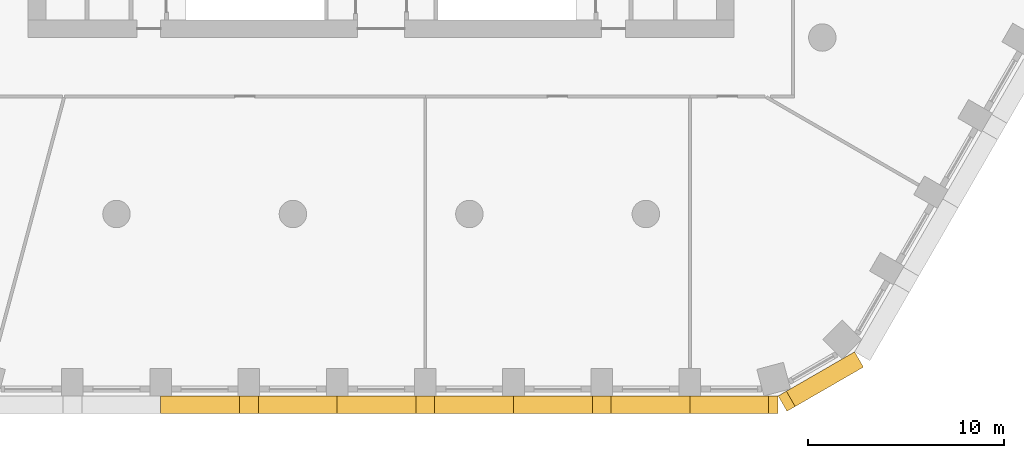
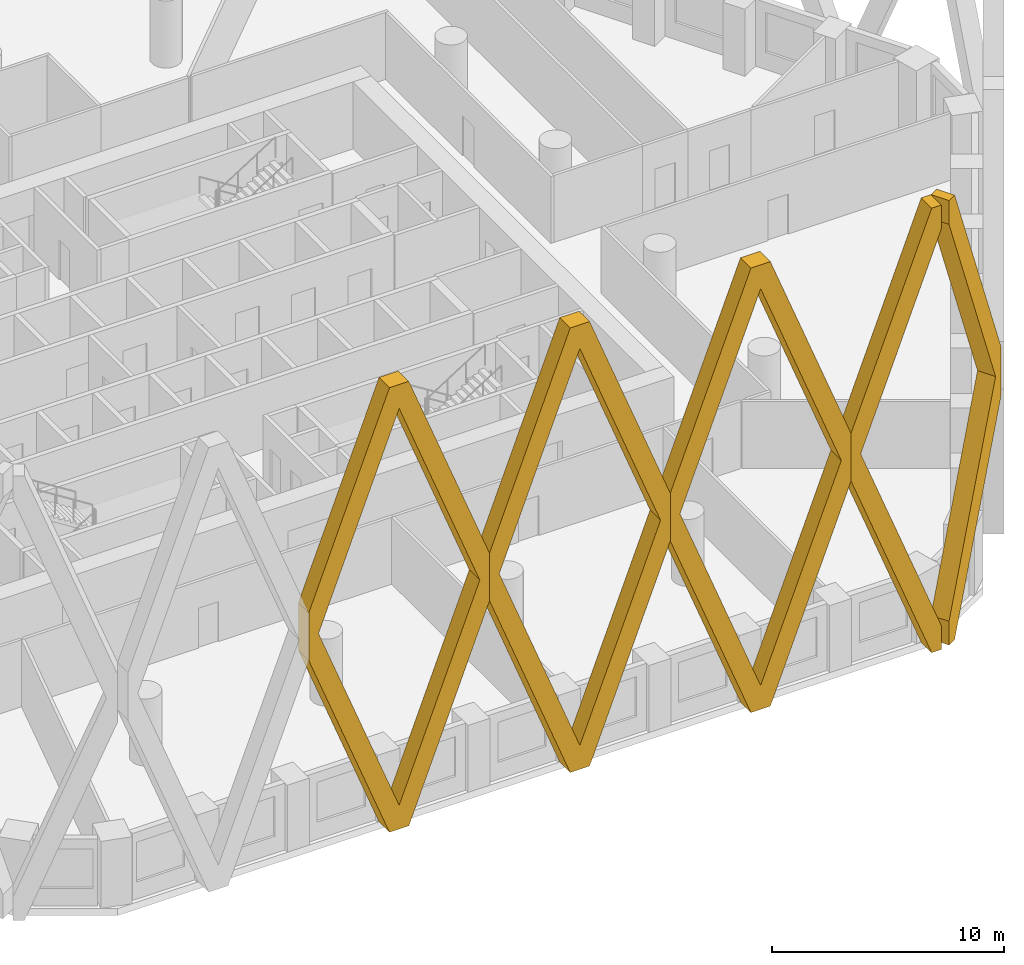
# One storey, part 12 of 18: 5 coverings.
"""IFC4 building model written with IfcOpenShell, lengths in metres."""

from ifc_helpers import new_model, si_unit, direction, frame, origin, place, context, subcontext, project, spatial, polyline, outline, extrude, material, type_object, element, save


model = new_model("IFC4")

# Units and contexts
model_context = context("Model", 3, precision=1e-05, world=origin(), true_north=direction((0.0, 1.0)))
body_context = subcontext(model_context, "Body", "Model", "MODEL_VIEW")
ifc_project = project(units=[si_unit("LENGTHUNIT", "METRE"), si_unit("AREAUNIT", "SQUARE_METRE"), si_unit("VOLUMEUNIT", "CUBIC_METRE"), si_unit("PLANEANGLEUNIT", "RADIAN"), si_unit("MASSUNIT", "GRAM", prefix="KILO")], contexts=[model_context])

# Site, building, storey
site_placement = place(None, origin())
site = spatial("IfcSite", under=ifc_project, at=site_placement, CompositionType="ELEMENT")
building_placement = place(site_placement, origin())
building = spatial("IfcBuilding", under=site, at=building_placement, Name="Dhurran Vertical Campus", CompositionType="ELEMENT")
storey_placement = place(building_placement, frame((0.0, 0.0, 53.39990234375)))
storey = spatial("IfcBuildingStorey", under=building, at=storey_placement, Name="L12", CompositionType="ELEMENT", Elevation=53.39990234375)

# Coverings
ifc_material = material(Name="Precast concrete C50/60", Category="concrete")
covering_type = type_object("IfcCoveringType", Name="Folded precast fin lattice diamond", PredefinedType="USERDEFINED", material=ifc_material)
for number, where, z_axis, x_axis, name in (
    (1, (-11.25, -31.77978515625, 0.0), (0.0, -1.0, 0.0), (1.0, 0.0, 0.0), "FN1 L12.002"),
    (2, (-2.25, -31.77978515625, 0.0), (0.0, -1.0, 0.0), (1.0, 0.0, 0.0), "FN1 L12.003"),
    (3, (6.75, -31.77978515625, 0.0), (0.0, -1.0, 0.0), (1.0, 0.0, 0.0), "FN1 L12.004"),
):
    element("IfcCovering", number, at=place(storey_placement, frame(where, z_axis=z_axis, x_axis=x_axis)), inside=storey, type_object=covering_type, Name=name, ObjectType="FIN", PredefinedType="USERDEFINED", context=body_context, shape_type="SweptSolid", body=[
        extrude(outline(polyline([(9.0, 12.95361328125), (9.0, 10.4462890625), (4.982177734375, 0.0), (4.017822265625, 0.0), (0.0, 10.4462890625), (0.0, 12.95361328125), (4.017822265625, 23.39990234375), (4.982177734375, 23.39990234375), (9.0, 12.95361328125)]), holes=[polyline([(8.517822265625, 11.699951171875), (4.5, 22.146484375), (0.482177734375, 11.699951171875), (4.5, 1.253662109375), (8.517822265625, 11.699951171875)])]), origin(), (0.0, 0.0, 1.0), 0.89990234375),
    ])
covering_1_placement = place(storey_placement, frame((15.75, -31.77978515625, 0.0), z_axis=(0.0, -1.0, 0.0), x_axis=(1.0, 0.0, 0.0)))
element("IfcCovering", 4, at=covering_1_placement, inside=storey, type_object=covering_type, Name="FN1 L12.005", ObjectType="FIN", PredefinedType="USERDEFINED", context=body_context, shape_type="SweptSolid", body=[
    extrude(outline(polyline([(4.017822265625, 0.0), (0.0, 10.4462890625), (0.0, 12.95361328125), (4.017822265625, 23.39990234375), (4.5, 23.39990234375), (4.5, 22.146484375), (0.482177734375, 11.699951171875), (4.5, 1.253662109375), (4.5, 0.0), (4.017822265625, 0.0)])), origin(), (0.0, 0.0, 1.0), 0.89990234375),
])
covering_2_placement = place(storey_placement, frame((20.25, -31.77978515625, 0.0), z_axis=(0.50001992892, -0.866013897511, 0.0), x_axis=(0.866013897511, 0.50001992892, 0.0)))
element("IfcCovering", 5, at=covering_2_placement, inside=storey, type_object=covering_type, Name="FN1 L12.006", ObjectType="FIN", PredefinedType="USERDEFINED", context=body_context, shape_type="SweptSolid", body=[
    extrude(outline(polyline([(4.5, 10.4462890625), (0.482177734375, 0.0), (0.0, 0.0), (0.0, 1.253662109375), (4.017822265625, 11.699951171875), (0.0, 22.146484375), (0.0, 23.39990234375), (0.482177734375, 23.39990234375), (4.5, 12.95361328125), (4.5, 10.4462890625)])), origin(), (0.0, 0.0, 1.0), 0.89990234375),
])

save(model, "model.ifc")
